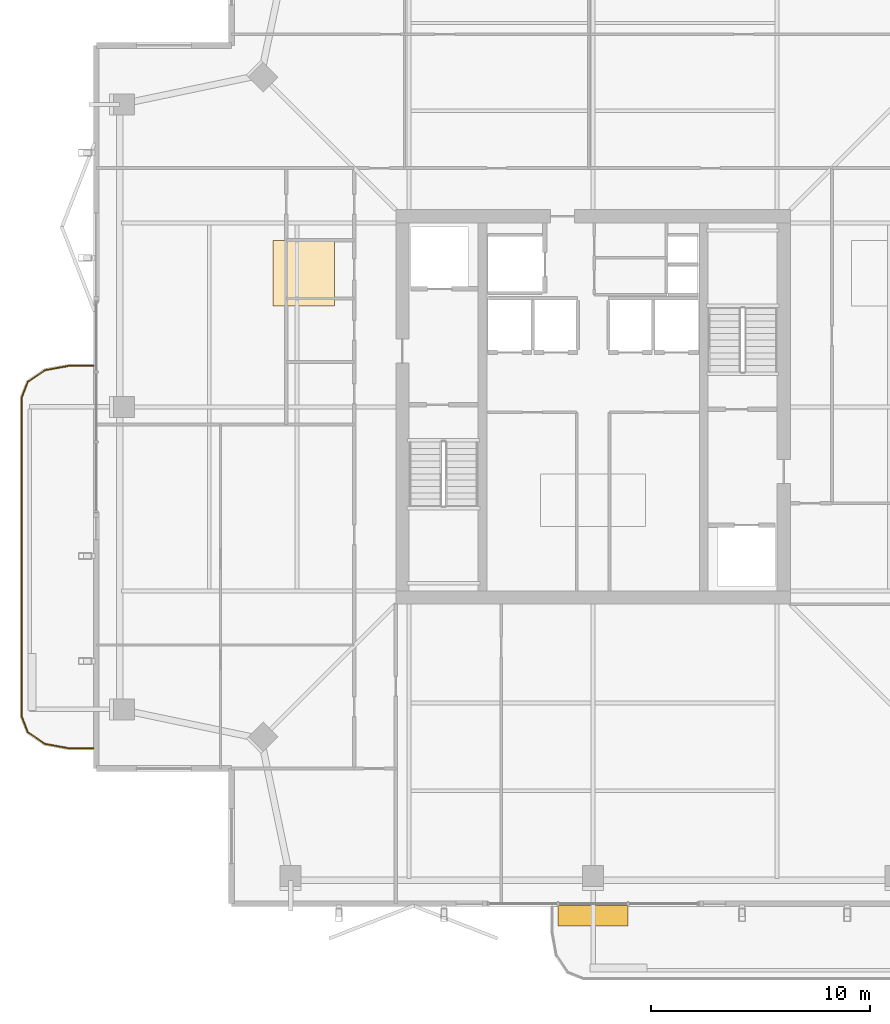
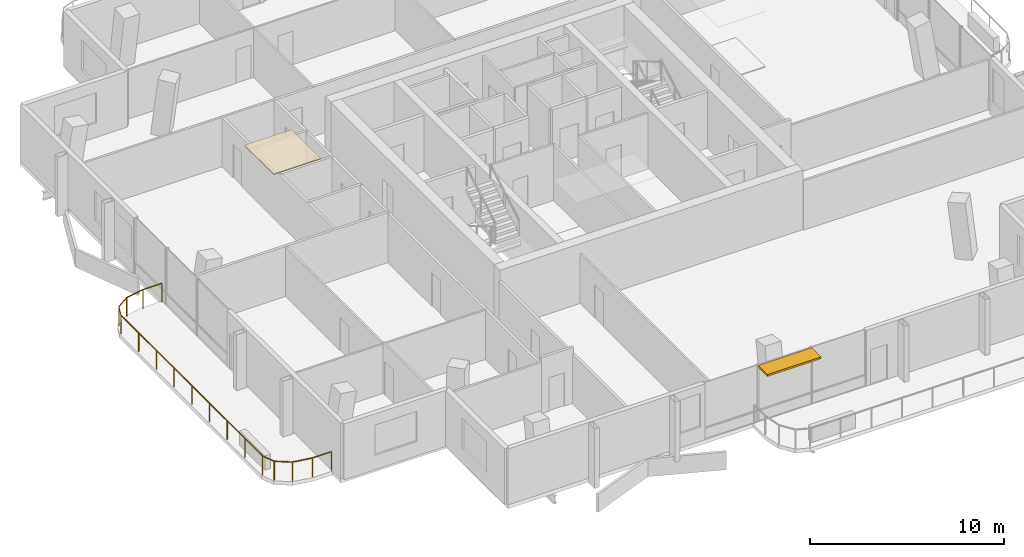
# One storey, part 18 of 20: 1 covering, 1 railing, 1 shading device.
"""IFC4 building model written with IfcOpenShell, lengths in metres."""

import ifcopenshell
import ifcopenshell.guid

model = None  # the IFC model being written
_history = None  # IfcOwnerHistory: only IFC2X3 demands one
_inside = {}  # id of a spatial element -> (the spatial element, [elements in it])
_under = {}  # id of a project, library or spatial element -> (it, [spatial elements below it])
_declared = {}  # id of a project -> (the project, [libraries it declares])
_typed = {}  # id of a type object -> (the type object, [elements of that type])
_made_of = {}  # id of a material, layer set ... -> (it, [elements and type objects made of it])


def new_model(schema):
    """Start an empty IFC model of exactly this schema.

    Asked for "IFC4X3", IfcOpenShell would pick the latest addendum, in which some entities
    have other attributes; the version numbers below select the first issue.
    IFC2X3 requires an IfcOwnerHistory on every rooted entity: one is made here for all.
    """
    global model, _history
    if schema == "IFC4X3":
        model = ifcopenshell.file(schema_version=(4, 3, 0, 0))
    else:
        model = ifcopenshell.file(schema=schema)
    _inside.clear()
    _under.clear()
    _declared.clear()
    _typed.clear()
    _made_of.clear()
    _history = None
    if model.schema == "IFC2X3":
        org = make("IfcOrganization", Name="unknown")
        user = make(
            "IfcPersonAndOrganization",
            ThePerson=make("IfcPerson", FamilyName="unknown"),
            TheOrganization=org,
        )
        app = make(
            "IfcApplication",
            ApplicationDeveloper=org,
            Version="unknown",
            ApplicationFullName="unknown",
            ApplicationIdentifier="unknown",
        )
        _history = make(
            "IfcOwnerHistory",
            OwningUser=user,
            OwningApplication=app,
            ChangeAction="ADDED",
            CreationDate=0,
        )
    return model


def make(cls, **values):
    """One entity of the class cls with the attributes given. An attribute that is None is left unset."""
    return model.create_entity(
        cls, **{name: value for name, value in values.items() if value is not None}
    )


def rooted(cls, **values):
    """An entity with a GlobalId (a new one), such as an element, a storey or a relation."""
    return make(cls, GlobalId=ifcopenshell.guid.new(), OwnerHistory=_history, **values)


def si_unit(unit_type, name, prefix=None):
    """IfcSIUnit, for example si_unit("LENGTHUNIT", "METRE", prefix="MILLI")."""
    return make("IfcSIUnit", UnitType=unit_type, Prefix=prefix, Name=name)


def assignment(units):
    """IfcUnitAssignment: the units of a project."""
    return None if units is None else make("IfcUnitAssignment", Units=units)


def point(xyz):
    """IfcCartesianPoint."""
    return None if xyz is None else make("IfcCartesianPoint", Coordinates=xyz)


def direction(xyz):
    """IfcDirection."""
    return None if xyz is None else make("IfcDirection", DirectionRatios=xyz)


def frame(location, z_axis=None, x_axis=None):
    """IfcAxis2Placement3D, a coordinate frame: its origin and axes. An axis left out is left unset."""
    return make(
        "IfcAxis2Placement3D",
        Location=point(location),
        Axis=direction(z_axis),
        RefDirection=direction(x_axis),
    )


def frame_2d(location, x_axis=None):
    """IfcAxis2Placement2D, a coordinate frame in the plane: its origin and x axis."""
    return make(
        "IfcAxis2Placement2D", Location=point(location), RefDirection=direction(x_axis)
    )


def origin():
    """The frame at (0, 0, 0) with its axes left unset."""
    return frame((0.0, 0.0, 0.0))


def origin_2d():
    """The frame at (0, 0) in the plane with its x axis left unset."""
    return frame_2d((0.0, 0.0))


def place(relative_to, where):
    """IfcLocalPlacement: puts the frame where relative to a parent placement (None: the world)."""
    return make(
        "IfcLocalPlacement", PlacementRelTo=relative_to, RelativePlacement=where
    )


def context(
    kind, dimensions, precision=None, world=None, true_north=None, identifier=None
):
    """IfcGeometricRepresentationContext, for example the 3D "Model" context."""
    return make(
        "IfcGeometricRepresentationContext",
        ContextIdentifier=identifier,
        ContextType=kind,
        CoordinateSpaceDimension=dimensions,
        Precision=precision,
        WorldCoordinateSystem=world,
        TrueNorth=true_north,
    )


def subcontext(parent, identifier, kind, view, scale=None):
    """IfcGeometricRepresentationSubContext, for example "Body" below "Model"."""
    return make(
        "IfcGeometricRepresentationSubContext",
        ContextIdentifier=identifier,
        ContextType=kind,
        ParentContext=parent,
        TargetScale=scale,
        TargetView=view,
    )


def project(units=None, contexts=None):
    """IfcProject with its units and contexts."""
    return rooted(
        "IfcProject",
        Name="project",
        RepresentationContexts=contexts,
        UnitsInContext=assignment(units),
    )


def spatial(cls, under=None, at=None, **own):
    """A site, building, storey or space (cls), placed at a placement, below another one or the project."""
    s = rooted(cls, ObjectPlacement=at, **own)
    if under is not None:
        _under.setdefault(under.id(), (under, []))[1].append(s)
    return s


def polyline(points):
    """IfcPolyline through the points."""
    return make("IfcPolyline", Points=[point(p) for p in points])


def profile(cls, at=None, kind="AREA", **sizes):
    """A parametric profile (cls). Its sizes go by their IFC names, for example OverallWidth=200.0."""
    return make(cls, ProfileType=kind, Position=at, **sizes)


def rectangle(**sizes):
    """IfcRectangleProfileDef."""
    return profile("IfcRectangleProfileDef", **sizes)


def outline(outer, holes=None, kind="AREA"):
    """IfcArbitraryClosedProfileDef: a profile drawn as a closed curve; with holes, ...WithVoids."""
    if holes is None:
        return make("IfcArbitraryClosedProfileDef", ProfileType=kind, OuterCurve=outer)
    return make(
        "IfcArbitraryProfileDefWithVoids",
        ProfileType=kind,
        OuterCurve=outer,
        InnerCurves=holes,
    )


def extrude(swept, where, along, depth):
    """IfcExtrudedAreaSolid: the profile swept, set in the frame where, extruded along a direction by depth."""
    return make(
        "IfcExtrudedAreaSolid",
        SweptArea=swept,
        Position=where,
        ExtrudedDirection=direction(along),
        Depth=depth,
    )


def shape(context_of_items, identifier, shape_type, items):
    """IfcShapeRepresentation: the items that make up one representation, for example the "Body"."""
    return make(
        "IfcShapeRepresentation",
        ContextOfItems=context_of_items,
        RepresentationIdentifier=identifier,
        RepresentationType=shape_type,
        Items=items,
    )


def material(Name=None, Category=None):
    """IfcMaterial."""
    return make("IfcMaterial", Name=Name, Category=Category)


def layer(
    of_material, thickness, ventilated=None, Name=None, Category=None, Priority=None
):
    """IfcMaterialLayer: one layer of a wall or slab, of a material (None: an air gap)."""
    return make(
        "IfcMaterialLayer",
        Material=of_material,
        LayerThickness=thickness,
        IsVentilated=ventilated,
        Name=Name,
        Category=Category,
        Priority=Priority,
    )


def layer_set(layers, Name=None):
    """IfcMaterialLayerSet."""
    return make("IfcMaterialLayerSet", MaterialLayers=layers, LayerSetName=Name)


def made_of(thing, what):
    """Note that an element or type object is made of a material, layer set ...; save() writes the relation."""
    if what is not None:
        _made_of.setdefault(what.id(), (what, []))[1].append(thing)
    return thing


def type_object(cls, material=None, **own):
    """A type object (cls), such as IfcWallType, which elements share."""
    return made_of(rooted(cls, **own), material)


def element(
    cls,
    number,
    at=None,
    inside=None,
    cuts=None,
    type_object=None,
    material=None,
    context=None,
    identifier="Body",
    shape_type=None,
    held_by="IfcProductDefinitionShape",
    body=None,
    shapes=None,
    **own,
):
    """One element of the class cls, such as IfcWall. Its Tag is "e" and its number.

    at: its placement. inside: the storey or other place that contains it. cuts: it is an
    opening in that element (IfcRelVoidsElement). A single representation is given by context,
    identifier, shape_type and body (its items); several are given by shapes. held_by: the class
    of the entity that holds the representations. save() writes the other relations.
    """
    e = rooted(cls, Tag="e%d" % number, ObjectPlacement=at, **own)
    if body is not None:
        shapes = [shape(context, identifier, shape_type, body)]
    if shapes is not None:
        e.Representation = make(held_by, Representations=shapes)
    if inside is not None:
        _inside.setdefault(inside.id(), (inside, []))[1].append(e)
    if cuts is not None:
        rooted(
            "IfcRelVoidsElement", RelatingBuildingElement=cuts, RelatedOpeningElement=e
        )
    if type_object is not None:
        _typed.setdefault(type_object.id(), (type_object, []))[1].append(e)
    return made_of(e, material)


def aggregate(whole, parts):
    """IfcRelAggregates: a whole, such as a stair, and the parts it consists of."""
    return rooted("IfcRelAggregates", RelatingObject=whole, RelatedObjects=parts)


def save(model, path):
    """Write the relations noted so far, then the file.

    IfcRelAggregates (storeys below a building ...), IfcRelContainedInSpatialStructure (elements
    in a storey), IfcRelDefinesByType, IfcRelAssociatesMaterial and IfcRelDeclares: one each for
    every whole, place, type object, material and project.
    """
    for whole, parts in _under.values():
        aggregate(whole, parts)
    for where, things in _inside.values():
        rooted(
            "IfcRelContainedInSpatialStructure",
            RelatedElements=things,
            RelatingStructure=where,
        )
    for kind, things in _typed.values():
        rooted("IfcRelDefinesByType", RelatedObjects=things, RelatingType=kind)
    for what, things in _made_of.values():
        rooted("IfcRelAssociatesMaterial", RelatedObjects=things, RelatingMaterial=what)
    for by, libraries in _declared.values():
        rooted("IfcRelDeclares", RelatingContext=by, RelatedDefinitions=libraries)
    model.write(path)


model = new_model("IFC4")

# Units and contexts
model_context = context("Model", 3, precision=1e-05, world=origin(), true_north=direction((0.0, 1.0)))
body_context = subcontext(model_context, "Body", "Model", "MODEL_VIEW")
ifc_project = project(units=[si_unit("LENGTHUNIT", "METRE"), si_unit("AREAUNIT", "SQUARE_METRE"), si_unit("VOLUMEUNIT", "CUBIC_METRE"), si_unit("PLANEANGLEUNIT", "RADIAN"), si_unit("MASSUNIT", "GRAM", prefix="KILO")], contexts=[model_context])

# Site, building, storey
site_placement = place(None, origin())
site = spatial("IfcSite", under=ifc_project, at=site_placement, CompositionType="ELEMENT")
building_placement = place(site_placement, origin())
building = spatial("IfcBuilding", under=site, at=building_placement, Name="Belovzor Exchange Tower", CompositionType="ELEMENT")
storey_placement = place(building_placement, frame((0.0, 0.0, 329.25)))
storey = spatial("IfcBuildingStorey", under=building, at=storey_placement, Name="L82", CompositionType="ELEMENT", Elevation=329.25)

# Railing
ifc_material_1 = material(Name="Stainless Steel and Laminated Safety Glass", Category="steel")
railing_type = type_object("IfcRailingType", Name="Laminated Glass & Stainless Steel Balcony Balustrade 1200", PredefinedType="BALUSTRADE", material=ifc_material_1)
railing_placement = place(storey_placement, frame((5.989990234375, 30.669921875, 0.0)))
element("IfcRailing", 1, at=railing_placement, inside=storey, type_object=railing_type, Name="GR-1 Balcony Balustrade L82 West", PredefinedType="BALUSTRADE", context=body_context, shape_type="SweptSolid", body=[
    extrude(rectangle(XDim=0.048095703125, YDim=0.048095703125, at=origin_2d()), frame((0.0, 0.0, 1.17578125), z_axis=(-1.0, 0.0, 0.0), x_axis=(0.0, -1.0, 0.0)), (0.0, 0.0, 1.0), 1.133056640625),
    extrude(rectangle(XDim=0.048095703125, YDim=0.048095703125, at=origin_2d()), frame((-1.133056640625, 0.0, 1.17578125), z_axis=(-0.983644145941, -0.180122719713, 0.0), x_axis=(0.180122719713, -0.983644145941, 0.0)), (0.0, 0.0, 1.0), 1.09375),
    extrude(rectangle(XDim=0.048095703125, YDim=0.048095703125, at=origin_2d()), frame((-2.208984375, -0.197021484375, 1.17578125), z_axis=(-0.826614792125, -0.562768145367, 0.0), x_axis=(0.562768145367, -0.826614792125, 0.0)), (0.0, 0.0, 1.0), 0.9326171875),
    extrude(rectangle(XDim=0.048095703125, YDim=0.048095703125, at=origin_2d()), frame((-2.97998046875, -0.721923828125, 1.17578125), z_axis=(-0.365612923861, -0.930766990125, 0.0), x_axis=(0.930766990125, -0.365612923861, 0.0)), (0.0, 0.0, 1.0), 0.765869140625),
    extrude(rectangle(XDim=0.048095703125, YDim=0.048095703125, at=origin_2d()), frame((-3.260009765625, -1.434814453125, 1.17578125), z_axis=(0.0, -1.0, 0.0), x_axis=(1.0, 0.0, 0.0)), (0.0, 0.0, 1.0), 14.570068359375),
    extrude(rectangle(XDim=0.048095703125, YDim=0.048095703125, at=origin_2d()), frame((-3.260009765625, -16.0048828125, 1.17578125), z_axis=(0.365504480807, -0.930809580156, 0.0), x_axis=(0.930809580156, 0.365504480807, 0.0)), (0.0, 0.0, 1.0), 0.76611328125),
    extrude(rectangle(XDim=0.048095703125, YDim=0.048095703125, at=origin_2d()), frame((-2.97998046875, -16.718017578125, 1.17578125), z_axis=(0.826614792125, -0.562768145367, 0.0), x_axis=(0.562768145367, 0.826614792125, 0.0)), (0.0, 0.0, 1.0), 0.9326171875),
    extrude(rectangle(XDim=0.048095703125, YDim=0.048095703125, at=origin_2d()), frame((-2.208984375, -17.242919921875, 1.17578125), z_axis=(0.983644145941, -0.180122719713, 0.0), x_axis=(0.180122719713, 0.983644145941, 0.0)), (0.0, 0.0, 1.0), 1.09375),
    extrude(rectangle(XDim=0.048095703125, YDim=0.048095703125, at=origin_2d()), frame((-1.133056640625, -17.43994140625, 1.17578125), z_axis=(1.0, 0.0, 0.0), x_axis=(0.0, 1.0, 0.0)), (0.0, 0.0, 1.0), 1.133056640625),
    extrude(rectangle(XDim=0.0419921875, YDim=0.0419921875, at=origin_2d()), origin(), (0.0, 0.0, 1.0), 1.15185546875),
    extrude(rectangle(XDim=0.0419921875, YDim=0.0419921875, at=origin_2d()), frame((-1.133056640625, 0.0, 0.0)), (0.0, 0.0, 1.0), 1.15185546875),
    extrude(rectangle(XDim=0.0419921875, YDim=0.0419921875, at=origin_2d()), frame((-2.208984375, -0.197021484375, 0.0)), (0.0, 0.0, 1.0), 1.15185546875),
    extrude(rectangle(XDim=0.0419921875, YDim=0.0419921875, at=origin_2d()), frame((-2.97998046875, -0.721923828125, 0.0)), (0.0, 0.0, 1.0), 1.15185546875),
    extrude(rectangle(XDim=0.0419921875, YDim=0.0419921875, at=origin_2d()), frame((-3.260009765625, -1.434814453125, 0.0)), (0.0, 0.0, 1.0), 1.15185546875),
    extrude(rectangle(XDim=0.0419921875, YDim=0.0419921875, at=origin_2d()), frame((-3.260009765625, -3.256103515625, 0.0)), (0.0, 0.0, 1.0), 1.15185546875),
    extrude(rectangle(XDim=0.0419921875, YDim=0.0419921875, at=origin_2d()), frame((-3.260009765625, -5.077392578125, 0.0)), (0.0, 0.0, 1.0), 1.15185546875),
    extrude(rectangle(XDim=0.0419921875, YDim=0.0419921875, at=origin_2d()), frame((-3.260009765625, -6.898681640625, 0.0)), (0.0, 0.0, 1.0), 1.15185546875),
    extrude(rectangle(XDim=0.0419921875, YDim=0.0419921875, at=origin_2d()), frame((-3.260009765625, -8.7197265625, 0.0)), (0.0, 0.0, 1.0), 1.15185546875),
    extrude(rectangle(XDim=0.0419921875, YDim=0.0419921875, at=origin_2d()), frame((-3.260009765625, -10.541015625, 0.0)), (0.0, 0.0, 1.0), 1.15185546875),
    extrude(rectangle(XDim=0.0419921875, YDim=0.0419921875, at=origin_2d()), frame((-3.260009765625, -12.3623046875, 0.0)), (0.0, 0.0, 1.0), 1.15185546875),
    extrude(rectangle(XDim=0.0419921875, YDim=0.0419921875, at=origin_2d()), frame((-3.260009765625, -14.18359375, 0.0)), (0.0, 0.0, 1.0), 1.15185546875),
    extrude(rectangle(XDim=0.0419921875, YDim=0.0419921875, at=origin_2d()), frame((-3.260009765625, -16.0048828125, 0.0)), (0.0, 0.0, 1.0), 1.15185546875),
    extrude(rectangle(XDim=0.0419921875, YDim=0.0419921875, at=origin_2d()), frame((-2.97998046875, -16.718017578125, 0.0)), (0.0, 0.0, 1.0), 1.15185546875),
    extrude(rectangle(XDim=0.0419921875, YDim=0.0419921875, at=origin_2d()), frame((-2.208984375, -17.242919921875, 0.0)), (0.0, 0.0, 1.0), 1.15185546875),
    extrude(rectangle(XDim=0.0419921875, YDim=0.0419921875, at=origin_2d()), frame((-1.133056640625, -17.43994140625, 0.0)), (0.0, 0.0, 1.0), 1.15185546875),
    extrude(rectangle(XDim=0.0419921875, YDim=0.0419921875, at=origin_2d()), frame((0.0, -17.43994140625, 0.0)), (0.0, 0.0, 1.0), 1.15185546875),
])

# Covering
ifc_material_2 = material(Name="Perforated Powder-Coated Aluminium", Category="aluminium")
ifc_layer_1 = layer(ifc_material_2, 0.06005859375)
ifc_layer_set_1 = layer_set([ifc_layer_1], Name="Perforated Powder-Coated Aluminium")
covering_type = type_object("IfcCoveringType", Name="Perforated Acoustic Metal Tile Suspended Ceiling 60", PredefinedType="CEILING", material=ifc_layer_set_1)
covering_placement = place(storey_placement, frame((0.0, 0.0, 3.449951171875)))
element("IfcCovering", 2, at=covering_placement, inside=storey, type_object=covering_type, Name="CLG-AC60 Suspended Ceiling CLG-L82-Z3", PredefinedType="CEILING", context=body_context, shape_type="SweptSolid", body=[
    extrude(outline(polyline([(14.199951171875, 33.39990234375), (17.0, 33.39990234375), (17.0, 36.39990234375), (14.199951171875, 36.39990234375), (14.199951171875, 33.39990234375)])), origin(), (0.0, 0.0, 1.0), 0.06005859375),
])

# Shading device
ifc_material_3 = material(Name="Extruded Architectural Terracotta", Category="masonry")
ifc_layer_2 = layer(ifc_material_3, 0.1201171875)
ifc_layer_set_2 = layer_set([ifc_layer_2], Name="Extruded Architectural Terracotta")
shading_device_type = type_object("IfcShadingDeviceType", Name="Streamline Terracotta Horizontal Sunshade Hood 950", PredefinedType="AWNING", material=ifc_layer_set_2)
shading_device_placement = place(storey_placement, frame((28.800048828125, 5.5849609375, 3.389892578125), z_axis=(0.0, 0.0, 1.0), x_axis=(1.0, 0.0, 0.0)))
element("IfcShadingDevice", 3, at=shading_device_placement, inside=storey, type_object=shading_device_type, Name="SHD-TC095 Terracotta Sunshade L82 S", PredefinedType="AWNING", context=body_context, shape_type="SweptSolid", body=[
    extrude(rectangle(XDim=3.199951171875, YDim=0.949951171875, at=origin_2d()), origin(), (0.0, 0.0, 1.0), 0.1201171875),
])

save(model, "model.ifc")
